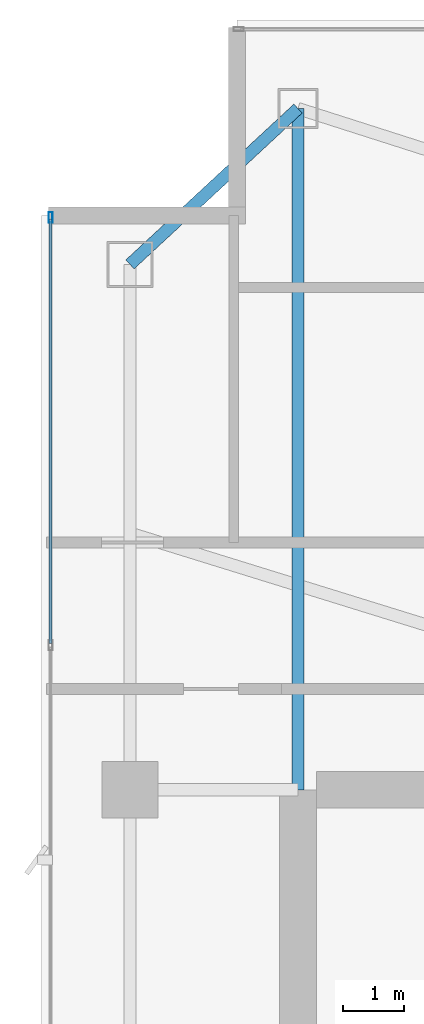
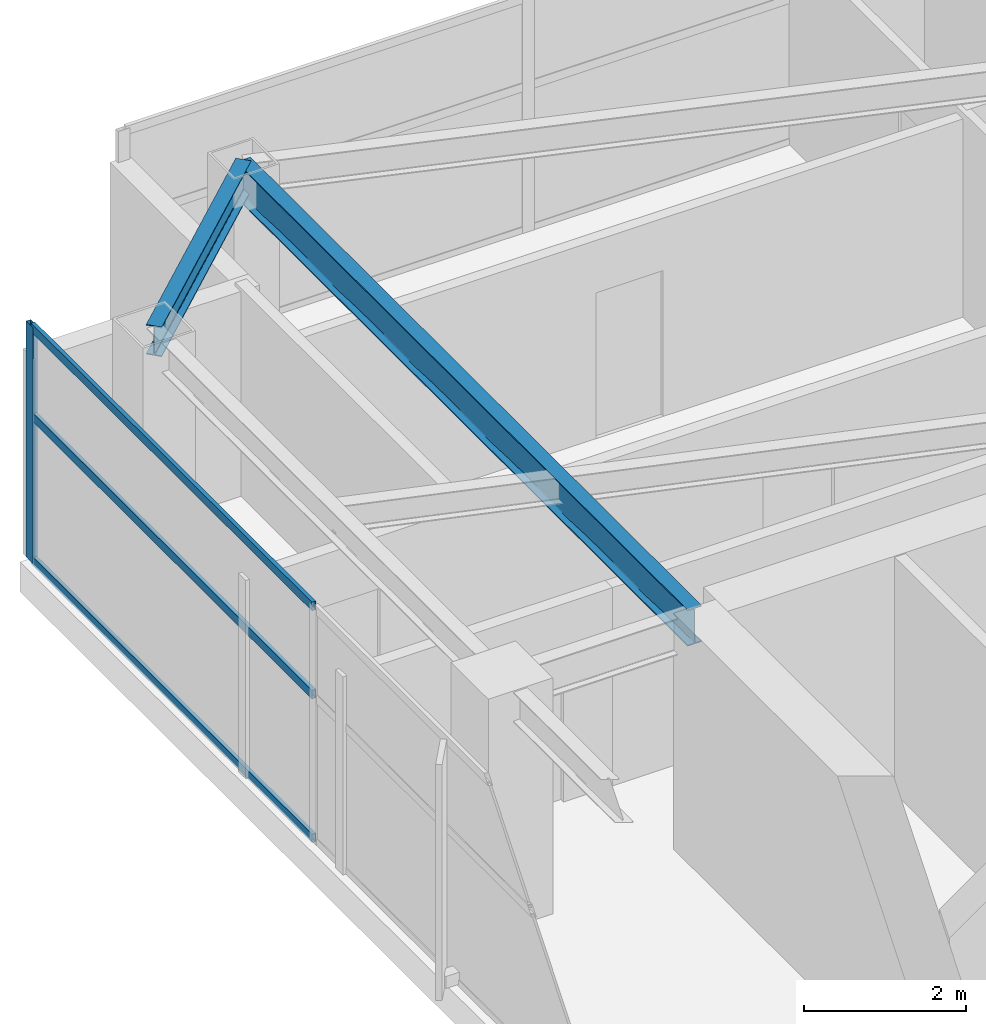
# One storey, part 17 of 27: 4 members, 2 beams, 1 element without a shape of its own.
"""IFC4 building model written with IfcOpenShell, lengths in metres."""

import ifcopenshell
import ifcopenshell.guid

model = None  # the IFC model being written
_history = None  # IfcOwnerHistory: only IFC2X3 demands one
_inside = {}  # id of a spatial element -> (the spatial element, [elements in it])
_under = {}  # id of a project, library or spatial element -> (it, [spatial elements below it])
_declared = {}  # id of a project -> (the project, [libraries it declares])
_typed = {}  # id of a type object -> (the type object, [elements of that type])
_made_of = {}  # id of a material, layer set ... -> (it, [elements and type objects made of it])


def new_model(schema):
    """Start an empty IFC model of exactly this schema.

    Asked for "IFC4X3", IfcOpenShell would pick the latest addendum, in which some entities
    have other attributes; the version numbers below select the first issue.
    IFC2X3 requires an IfcOwnerHistory on every rooted entity: one is made here for all.
    """
    global model, _history
    if schema == "IFC4X3":
        model = ifcopenshell.file(schema_version=(4, 3, 0, 0))
    else:
        model = ifcopenshell.file(schema=schema)
    _inside.clear()
    _under.clear()
    _declared.clear()
    _typed.clear()
    _made_of.clear()
    _history = None
    if model.schema == "IFC2X3":
        org = make("IfcOrganization", Name="unknown")
        user = make(
            "IfcPersonAndOrganization",
            ThePerson=make("IfcPerson", FamilyName="unknown"),
            TheOrganization=org,
        )
        app = make(
            "IfcApplication",
            ApplicationDeveloper=org,
            Version="unknown",
            ApplicationFullName="unknown",
            ApplicationIdentifier="unknown",
        )
        _history = make(
            "IfcOwnerHistory",
            OwningUser=user,
            OwningApplication=app,
            ChangeAction="ADDED",
            CreationDate=0,
        )
    return model


def make(cls, **values):
    """One entity of the class cls with the attributes given. An attribute that is None is left unset."""
    return model.create_entity(
        cls, **{name: value for name, value in values.items() if value is not None}
    )


def rooted(cls, **values):
    """An entity with a GlobalId (a new one), such as an element, a storey or a relation."""
    return make(cls, GlobalId=ifcopenshell.guid.new(), OwnerHistory=_history, **values)


def si_unit(unit_type, name, prefix=None):
    """IfcSIUnit, for example si_unit("LENGTHUNIT", "METRE", prefix="MILLI")."""
    return make("IfcSIUnit", UnitType=unit_type, Prefix=prefix, Name=name)


def assignment(units):
    """IfcUnitAssignment: the units of a project."""
    return None if units is None else make("IfcUnitAssignment", Units=units)


def point(xyz):
    """IfcCartesianPoint."""
    return None if xyz is None else make("IfcCartesianPoint", Coordinates=xyz)


def direction(xyz):
    """IfcDirection."""
    return None if xyz is None else make("IfcDirection", DirectionRatios=xyz)


def frame(location, z_axis=None, x_axis=None):
    """IfcAxis2Placement3D, a coordinate frame: its origin and axes. An axis left out is left unset."""
    return make(
        "IfcAxis2Placement3D",
        Location=point(location),
        Axis=direction(z_axis),
        RefDirection=direction(x_axis),
    )


def frame_2d(location, x_axis=None):
    """IfcAxis2Placement2D, a coordinate frame in the plane: its origin and x axis."""
    return make(
        "IfcAxis2Placement2D", Location=point(location), RefDirection=direction(x_axis)
    )


def origin():
    """The frame at (0, 0, 0) with its axes left unset."""
    return frame((0.0, 0.0, 0.0))


def origin_2d():
    """The frame at (0, 0) in the plane with its x axis left unset."""
    return frame_2d((0.0, 0.0))


def place(relative_to, where):
    """IfcLocalPlacement: puts the frame where relative to a parent placement (None: the world)."""
    return make(
        "IfcLocalPlacement", PlacementRelTo=relative_to, RelativePlacement=where
    )


def context(
    kind, dimensions, precision=None, world=None, true_north=None, identifier=None
):
    """IfcGeometricRepresentationContext, for example the 3D "Model" context."""
    return make(
        "IfcGeometricRepresentationContext",
        ContextIdentifier=identifier,
        ContextType=kind,
        CoordinateSpaceDimension=dimensions,
        Precision=precision,
        WorldCoordinateSystem=world,
        TrueNorth=true_north,
    )


def subcontext(parent, identifier, kind, view, scale=None):
    """IfcGeometricRepresentationSubContext, for example "Body" below "Model"."""
    return make(
        "IfcGeometricRepresentationSubContext",
        ContextIdentifier=identifier,
        ContextType=kind,
        ParentContext=parent,
        TargetScale=scale,
        TargetView=view,
    )


def project(units=None, contexts=None):
    """IfcProject with its units and contexts."""
    return rooted(
        "IfcProject",
        Name="project",
        RepresentationContexts=contexts,
        UnitsInContext=assignment(units),
    )


def spatial(cls, under=None, at=None, **own):
    """A site, building, storey or space (cls), placed at a placement, below another one or the project."""
    s = rooted(cls, ObjectPlacement=at, **own)
    if under is not None:
        _under.setdefault(under.id(), (under, []))[1].append(s)
    return s


def profile(cls, at=None, kind="AREA", **sizes):
    """A parametric profile (cls). Its sizes go by their IFC names, for example OverallWidth=200.0."""
    return make(cls, ProfileType=kind, Position=at, **sizes)


def hollow_rectangle(**sizes):
    """IfcRectangleHollowProfileDef."""
    return profile("IfcRectangleHollowProfileDef", **sizes)


def i_section(**sizes):
    """IfcIShapeProfileDef."""
    return profile("IfcIShapeProfileDef", **sizes)


def extrude(swept, where, along, depth):
    """IfcExtrudedAreaSolid: the profile swept, set in the frame where, extruded along a direction by depth."""
    return make(
        "IfcExtrudedAreaSolid",
        SweptArea=swept,
        Position=where,
        ExtrudedDirection=direction(along),
        Depth=depth,
    )


def shape(context_of_items, identifier, shape_type, items):
    """IfcShapeRepresentation: the items that make up one representation, for example the "Body"."""
    return make(
        "IfcShapeRepresentation",
        ContextOfItems=context_of_items,
        RepresentationIdentifier=identifier,
        RepresentationType=shape_type,
        Items=items,
    )


def material(Name=None, Category=None):
    """IfcMaterial."""
    return make("IfcMaterial", Name=Name, Category=Category)


def layer(
    of_material, thickness, ventilated=None, Name=None, Category=None, Priority=None
):
    """IfcMaterialLayer: one layer of a wall or slab, of a material (None: an air gap)."""
    return make(
        "IfcMaterialLayer",
        Material=of_material,
        LayerThickness=thickness,
        IsVentilated=ventilated,
        Name=Name,
        Category=Category,
        Priority=Priority,
    )


def layer_set(layers, Name=None):
    """IfcMaterialLayerSet."""
    return make("IfcMaterialLayerSet", MaterialLayers=layers, LayerSetName=Name)


def material_profile(
    of_material, cross_section, Name=None, Category=None, Priority=None
):
    """IfcMaterialProfile: a cross section and its material."""
    return make(
        "IfcMaterialProfile",
        Name=Name,
        Material=of_material,
        Profile=cross_section,
        Priority=Priority,
        Category=Category,
    )


def profile_set(profiles, Name=None, composite=None):
    """IfcMaterialProfileSet."""
    return make(
        "IfcMaterialProfileSet",
        Name=Name,
        MaterialProfiles=profiles,
        CompositeProfile=composite,
    )


def made_of(thing, what):
    """Note that an element or type object is made of a material, layer set ...; save() writes the relation."""
    if what is not None:
        _made_of.setdefault(what.id(), (what, []))[1].append(thing)
    return thing


def type_object(cls, material=None, **own):
    """A type object (cls), such as IfcWallType, which elements share."""
    return made_of(rooted(cls, **own), material)


def element(
    cls,
    number,
    at=None,
    inside=None,
    cuts=None,
    type_object=None,
    material=None,
    context=None,
    identifier="Body",
    shape_type=None,
    held_by="IfcProductDefinitionShape",
    body=None,
    shapes=None,
    **own,
):
    """One element of the class cls, such as IfcWall. Its Tag is "e" and its number.

    at: its placement. inside: the storey or other place that contains it. cuts: it is an
    opening in that element (IfcRelVoidsElement). A single representation is given by context,
    identifier, shape_type and body (its items); several are given by shapes. held_by: the class
    of the entity that holds the representations. save() writes the other relations.
    """
    e = rooted(cls, Tag="e%d" % number, ObjectPlacement=at, **own)
    if body is not None:
        shapes = [shape(context, identifier, shape_type, body)]
    if shapes is not None:
        e.Representation = make(held_by, Representations=shapes)
    if inside is not None:
        _inside.setdefault(inside.id(), (inside, []))[1].append(e)
    if cuts is not None:
        rooted(
            "IfcRelVoidsElement", RelatingBuildingElement=cuts, RelatedOpeningElement=e
        )
    if type_object is not None:
        _typed.setdefault(type_object.id(), (type_object, []))[1].append(e)
    return made_of(e, material)


def aggregate(whole, parts):
    """IfcRelAggregates: a whole, such as a stair, and the parts it consists of."""
    return rooted("IfcRelAggregates", RelatingObject=whole, RelatedObjects=parts)


def save(model, path):
    """Write the relations noted so far, then the file.

    IfcRelAggregates (storeys below a building ...), IfcRelContainedInSpatialStructure (elements
    in a storey), IfcRelDefinesByType, IfcRelAssociatesMaterial and IfcRelDeclares: one each for
    every whole, place, type object, material and project.
    """
    for whole, parts in _under.values():
        aggregate(whole, parts)
    for where, things in _inside.values():
        rooted(
            "IfcRelContainedInSpatialStructure",
            RelatedElements=things,
            RelatingStructure=where,
        )
    for kind, things in _typed.values():
        rooted("IfcRelDefinesByType", RelatedObjects=things, RelatingType=kind)
    for what, things in _made_of.values():
        rooted("IfcRelAssociatesMaterial", RelatedObjects=things, RelatingMaterial=what)
    for by, libraries in _declared.values():
        rooted("IfcRelDeclares", RelatingContext=by, RelatedDefinitions=libraries)
    model.write(path)


model = new_model("IFC4")

# Units and contexts
model_context = context("Model", 3, precision=1e-05, world=origin(), true_north=direction((0.0, 1.0)))
body_context = subcontext(model_context, "Body", "Model", "MODEL_VIEW")
ifc_project = project(units=[si_unit("LENGTHUNIT", "METRE"), si_unit("AREAUNIT", "SQUARE_METRE"), si_unit("VOLUMEUNIT", "CUBIC_METRE"), si_unit("PLANEANGLEUNIT", "RADIAN"), si_unit("MASSUNIT", "GRAM", prefix="KILO")], contexts=[model_context])

# Site, building, storey
site_placement = place(None, origin())
site = spatial("IfcSite", under=ifc_project, at=site_placement, CompositionType="ELEMENT")
building_placement = place(site_placement, origin())
building = spatial("IfcBuilding", under=site, at=building_placement, Name="Calvorn Quay Hotel", CompositionType="ELEMENT")
storey_placement = place(building_placement, frame((0.0, 0.0, 287.300048828125)))
storey = spatial("IfcBuildingStorey", under=building, at=storey_placement, Name="L71", CompositionType="ELEMENT", Elevation=287.300048828125)

# Beams
ifc_material_1 = material(Name="Steel Q355B", Category="steel")
ifc_material_profile_1 = material_profile(ifc_material_1, i_section(OverallWidth=0.199951171875, OverallDepth=0.550048828125, WebThickness=0.010009765625, FlangeThickness=0.01611328125, FilletRadius=0.01806640625, at=origin_2d()), Name="HN550x200x10x16")
ifc_profile_set_1 = profile_set([ifc_material_profile_1], Name="Steel Q355B")
beam_type_1 = type_object("IfcBeamType", Name="BM-GIRD-UPP", PredefinedType="BEAM", material=ifc_profile_set_1)
beam_1_placement = place(storey_placement, frame((4.199951171875, 49.550048828125, 3.264892578125), z_axis=(0.0, -1.0, 0.0), x_axis=(1.0, 0.0, 0.0)))
element("IfcBeam", 1, at=beam_1_placement, inside=storey, type_object=beam_type_1, Name="Beam BG-L71-W5", PredefinedType="BEAM", context=body_context, shape_type="SweptSolid", body=[
    extrude(i_section(OverallWidth=0.199951171875, OverallDepth=0.550048828125, WebThickness=0.010009765625, FlangeThickness=0.01611328125, FilletRadius=0.01806640625, at=origin_2d()), origin(), (0.0, 0.0, 1.0), 11.150146484375),
])
ifc_material_2 = material(Name="Steel Q355B", Category="steel")
ifc_material_profile_2 = material_profile(ifc_material_2, i_section(OverallWidth=0.199951171875, OverallDepth=0.449951171875, WebThickness=0.009033203125, FlangeThickness=0.013916015625, FilletRadius=0.01611328125, at=origin_2d()), Name="HN450x200x9x14")
ifc_profile_set_2 = profile_set([ifc_material_profile_2], Name="Steel Q355B")
beam_type_2 = type_object("IfcBeamType", Name="BM-SPANDREL-Z3", PredefinedType="SPANDREL", material=ifc_profile_set_2)
beam_2_placement = place(storey_placement, frame((1.449951171875, 47.0, 3.31494140625), z_axis=(0.733261665538, 0.679946563969, 0.0), x_axis=(-0.679946563969, 0.733261665538, 0.0)))
element("IfcBeam", 2, at=beam_2_placement, inside=storey, type_object=beam_type_2, Name="Beam BSP-L71-W5", PredefinedType="SPANDREL", context=body_context, shape_type="SweptSolid", body=[
    extrude(i_section(OverallWidth=0.199951171875, OverallDepth=0.449951171875, WebThickness=0.009033203125, FlangeThickness=0.013916015625, FilletRadius=0.01611328125, at=origin_2d()), origin(), (0.0, 0.0, 1.0), 3.75048828125),
])

# Curtain wall, members
ifc_material_3 = material(Name="Champagne Bronze Anodised Aluminium and Low-E Glass", Category="aluminium")
ifc_layer = layer(ifc_material_3, 0.219970703125)
ifc_layer_set = layer_set([ifc_layer], Name="CW-SYS-Z4")
curtain_wall_type = type_object("IfcCurtainWallType", Name="CW-SYS-Z4", PredefinedType="NOTDEFINED", material=ifc_layer_set)
curtain_wall_placement = place(storey_placement, origin())
curtain_wall = element("IfcCurtainWall", 3, at=curtain_wall_placement, inside=storey, type_object=curtain_wall_type, Name="Tower West Curtain Wall (L71)", PredefinedType="NOTDEFINED")
ifc_material_4 = material(Name="Champagne Bronze Anodised Aluminium 6063-T6", Category="aluminium")
ifc_material_profile_3 = material_profile(ifc_material_4, hollow_rectangle(XDim=0.06494140625, YDim=0.169921875, WallThickness=0.00341796875, at=origin_2d()), Name="ALU-M170x65x3.5")
ifc_profile_set_3 = profile_set([ifc_material_profile_3], Name="Champagne Bronze Anodised Aluminium 6063-T6")
member_type_1 = type_object("IfcMemberType", Name="CW-SYS-Z4-MUL", PredefinedType="MULLION", material=ifc_profile_set_3)
member_1_placement = place(storey_placement, frame((0.14990234375, 47.77001953125, 0.0), z_axis=(0.0, 0.0, 1.0), x_axis=(-1.0, 0.0, 0.0)))
member_1 = element("IfcMember", 4, at=member_1_placement, type_object=member_type_1, Name="CW-L71-W mullion 7", PredefinedType="MULLION", context=body_context, shape_type="SweptSolid", body=[
    extrude(hollow_rectangle(XDim=0.06494140625, YDim=0.169921875, WallThickness=0.00341796875, at=origin_2d()), origin(), (0.0, 0.0, 1.0), 3.56005859375),
])
ifc_material_5 = material(Name="Champagne Bronze Anodised Aluminium 6063-T6", Category="aluminium")
ifc_material_profile_4 = material_profile(ifc_material_5, hollow_rectangle(XDim=0.054931640625, YDim=0.1298828125, WallThickness=0.003173828125, at=origin_2d()), Name="ALU-T130x55x3.2")
ifc_profile_set_4 = profile_set([ifc_material_profile_4], Name="Champagne Bronze Anodised Aluminium 6063-T6")
member_type_2 = type_object("IfcMemberType", Name="CW-SYS-Z4-TRN", PredefinedType="USERDEFINED", material=ifc_profile_set_4)
member_2_placement = place(storey_placement, frame((0.14990234375, 40.796630859375, 0.030029296875), z_axis=(0.0, 1.0, 0.0), x_axis=(-1.0, 0.0, 0.0)))
member_2 = element("IfcMember", 5, at=member_2_placement, type_object=member_type_2, Name="CW-L71-W transom 6.1", ObjectType="TRANSOM", PredefinedType="USERDEFINED", context=body_context, shape_type="SweptSolid", body=[
    extrude(hollow_rectangle(XDim=0.054931640625, YDim=0.1298828125, WallThickness=0.003173828125, at=origin_2d()), origin(), (0.0, 0.0, 1.0), 6.943359375),
])
member_3_placement = place(storey_placement, frame((0.14990234375, 40.796630859375, 2.199951171875), z_axis=(0.0, 1.0, 0.0), x_axis=(-1.0, 0.0, 0.0)))
member_3 = element("IfcMember", 6, at=member_3_placement, type_object=member_type_2, Name="CW-L71-W transom 6.2", ObjectType="TRANSOM", PredefinedType="USERDEFINED", context=body_context, shape_type="SweptSolid", body=[
    extrude(hollow_rectangle(XDim=0.054931640625, YDim=0.1298828125, WallThickness=0.003173828125, at=origin_2d()), origin(), (0.0, 0.0, 1.0), 6.943359375),
])
member_4_placement = place(storey_placement, frame((0.14990234375, 40.796630859375, 3.530029296875), z_axis=(0.0, 1.0, 0.0), x_axis=(-1.0, 0.0, 0.0)))
member_4 = element("IfcMember", 7, at=member_4_placement, type_object=member_type_2, Name="CW-L71-W transom 6.3", ObjectType="TRANSOM", PredefinedType="USERDEFINED", context=body_context, shape_type="SweptSolid", body=[
    extrude(hollow_rectangle(XDim=0.054931640625, YDim=0.1298828125, WallThickness=0.003173828125, at=origin_2d()), origin(), (0.0, 0.0, 1.0), 6.943359375),
])
aggregate(curtain_wall, [member_1, member_2, member_3, member_4])

save(model, "model.ifc")
